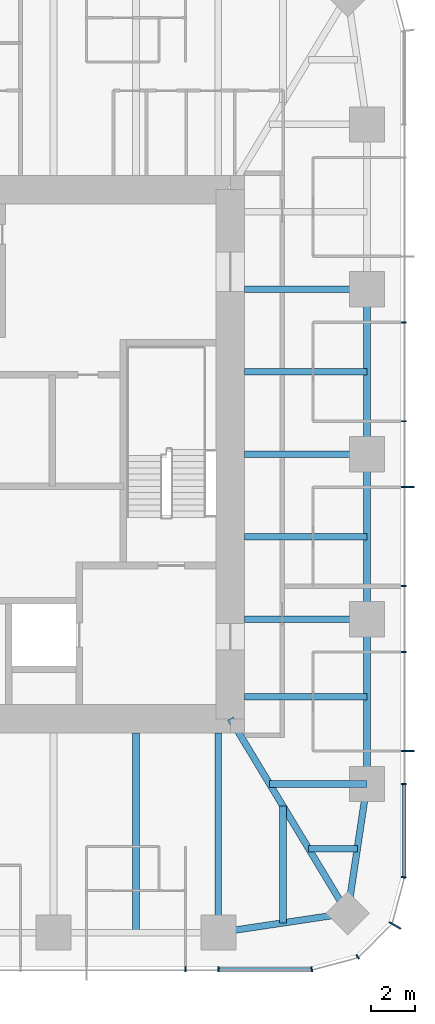
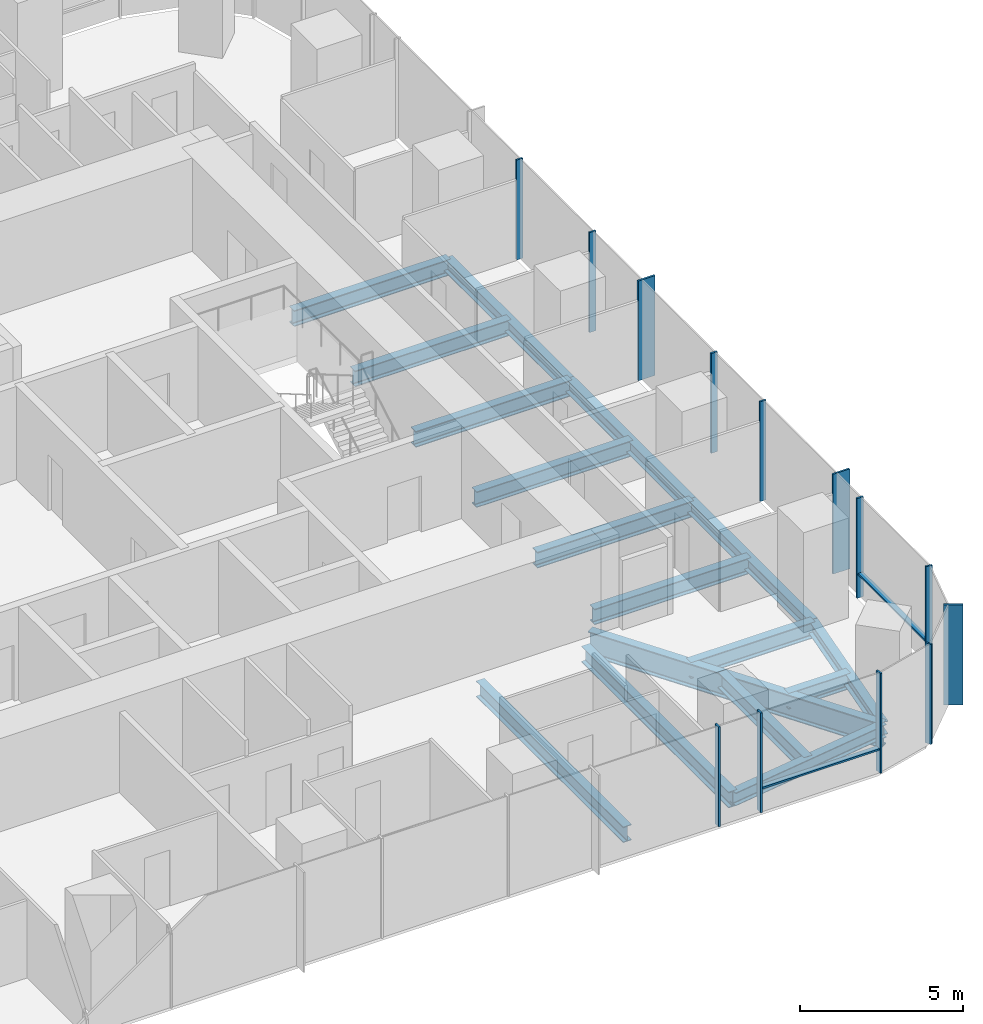
# One storey, part 4 of 12: 17 beams, 15 members, 3 elements without a shape of their own.
"""IFC4 building model written with IfcOpenShell, lengths in metres."""

from ifc_helpers import new_model, si_unit, direction, frame, origin, origin_2d, place, context, subcontext, project, spatial, rectangle, i_section, extrude, material, material_profile, profile_set, type_object, element, aggregate, save


model = new_model("IFC4")

# Units and contexts
model_context = context("Model", 3, precision=1e-05, world=origin(), true_north=direction((0.0, 1.0)))
body_context = subcontext(model_context, "Body", "Model", "MODEL_VIEW")
ifc_project = project(units=[si_unit("LENGTHUNIT", "METRE"), si_unit("AREAUNIT", "SQUARE_METRE"), si_unit("VOLUMEUNIT", "CUBIC_METRE"), si_unit("PLANEANGLEUNIT", "RADIAN"), si_unit("MASSUNIT", "GRAM", prefix="KILO")], contexts=[model_context])

# Site, building, storey
site_placement = place(None, origin())
site = spatial("IfcSite", under=ifc_project, at=site_placement, CompositionType="ELEMENT")
building_placement = place(site_placement, origin())
building = spatial("IfcBuilding", under=site, at=building_placement, Name="Khuree Lantern Residences", CompositionType="ELEMENT")
storey_placement = place(building_placement, frame((0.0, 0.0, 327.0)))
storey = spatial("IfcBuildingStorey", under=building, at=storey_placement, Name="L82", CompositionType="ELEMENT", Elevation=327.0)

# Beams
ifc_material_1 = material(Name="Steel S355", Category="steel")
ifc_material_profile_1 = material_profile(ifc_material_1, i_section(OverallWidth=0.300048828125, OverallDepth=0.590087890625, WebThickness=0.012939453125, FlangeThickness=0.02490234375, FilletRadius=0.027099609375, at=origin_2d()), Name="HE 600 A")
ifc_profile_set_1 = profile_set([ifc_material_profile_1], Name="Steel S355")
beam_type_1 = type_object("IfcBeamType", Name="B-43 SECONDARY BEAM HE 600 A", PredefinedType="BEAM", material=ifc_profile_set_1)
for number, where, z_axis, x_axis, name in (
    (1, (21.699951171875, 3.739990234375, -0.544921875), (-1.0, 0.0, 0.0), (0.0, -1.0, 0.0), "Secondary beam E3"),
    (2, (21.699951171875, -3.739990234375, -0.544921875), (-1.0, 0.0, 0.0), (0.0, -1.0, 0.0), "Secondary beam E4"),
    (3, (21.699951171875, -11.0, -0.544921875), (-1.0, 0.0, 0.0), (0.0, -1.0, 0.0), "Secondary beam E5"),
):
    element("IfcBeam", number, at=place(storey_placement, frame(where, z_axis=z_axis, x_axis=x_axis)), inside=storey, type_object=beam_type_1, Name=name, PredefinedType="BEAM", context=body_context, shape_type="SweptSolid", body=[
        extrude(i_section(OverallWidth=0.300048828125, OverallDepth=0.590087890625, WebThickness=0.012939453125, FlangeThickness=0.02490234375, FilletRadius=0.027099609375, at=origin_2d()), origin(), (0.0, 0.0, 1.0), 5.550048828125),
    ])
beam_1_placement = place(storey_placement, frame((21.2607421875, -17.890625, -0.544921875), z_axis=(-1.0, 0.0, 0.0), x_axis=(0.0, -1.0, 0.0)))
element("IfcBeam", 4, at=beam_1_placement, inside=storey, type_object=beam_type_1, Name="Secondary beam E6", PredefinedType="BEAM", context=body_context, shape_type="SweptSolid", body=[
    extrude(i_section(OverallWidth=0.300048828125, OverallDepth=0.590087890625, WebThickness=0.012939453125, FlangeThickness=0.02490234375, FilletRadius=0.027099609375, at=origin_2d()), origin(), (0.0, 0.0, 1.0), 2.207275390625),
])
beam_2_placement = place(storey_placement, frame((17.890625, -21.2607421875, -0.544921875), z_axis=(0.0, 1.0, 0.0), x_axis=(-1.0, 0.0, 0.0)))
element("IfcBeam", 5, at=beam_2_placement, inside=storey, type_object=beam_type_1, Name="Secondary beam S1", PredefinedType="BEAM", context=body_context, shape_type="SweptSolid", body=[
    extrude(i_section(OverallWidth=0.300048828125, OverallDepth=0.590087890625, WebThickness=0.012939453125, FlangeThickness=0.02490234375, FilletRadius=0.027099609375, at=origin_2d()), origin(), (0.0, 0.0, 1.0), 5.297607421875),
])
beam_3_placement = place(storey_placement, frame((11.219970703125, -21.699951171875, -0.544921875), z_axis=(0.0, 1.0, 0.0), x_axis=(-1.0, 0.0, 0.0)))
element("IfcBeam", 6, at=beam_3_placement, inside=storey, type_object=beam_type_1, Name="Secondary beam S2", PredefinedType="BEAM", context=body_context, shape_type="SweptSolid", body=[
    extrude(i_section(OverallWidth=0.300048828125, OverallDepth=0.590087890625, WebThickness=0.012939453125, FlangeThickness=0.02490234375, FilletRadius=0.027099609375, at=origin_2d()), origin(), (0.0, 0.0, 1.0), 9.050048828125),
])
ifc_material_profile_2 = material_profile(ifc_material_1, i_section(OverallWidth=0.300048828125, OverallDepth=0.489990234375, WebThickness=0.011962890625, FlangeThickness=0.02294921875, FilletRadius=0.027099609375, at=origin_2d()), Name="HE 500 A")
ifc_profile_set_2 = profile_set([ifc_material_profile_2], Name="Steel S355")
beam_type_2 = type_object("IfcBeamType", Name="E-43 SPANDREL BEAM HE 500 A", PredefinedType="SPANDREL", material=ifc_profile_set_2)
for number, where, z_axis, x_axis, name in (
    (7, (21.699951171875, 7.47998046875, -0.4951171875), (0.0, -1.0, 0.0), (1.0, 0.0, 0.0), "Spandrel beam E3"),
    (8, (21.699951171875, 0.0, -0.4951171875), (0.0, -1.0, 0.0), (1.0, 0.0, 0.0), "Spandrel beam E4"),
    (9, (21.699951171875, -7.47998046875, -0.4951171875), (0.0, -1.0, 0.0), (1.0, 0.0, 0.0), "Spandrel beam E5"),
):
    element("IfcBeam", number, at=place(storey_placement, frame(where, z_axis=z_axis, x_axis=x_axis)), inside=storey, type_object=beam_type_2, Name=name, PredefinedType="SPANDREL", context=body_context, shape_type="SweptSolid", body=[
        extrude(i_section(OverallWidth=0.300048828125, OverallDepth=0.489990234375, WebThickness=0.011962890625, FlangeThickness=0.02294921875, FilletRadius=0.027099609375, at=origin_2d()), origin(), (0.0, 0.0, 1.0), 7.47998046875),
    ])
for number, where, z_axis, x_axis, name in (
    (10, (21.699951171875, -14.9599609375, -0.4951171875), (-0.148251822985, -0.988949643299, 0.0), (0.988949643299, -0.148251822985, 0.0), "Spandrel beam E6"),
    (11, (20.8212890625, -20.8212890625, -0.4951171875), (-0.988949643299, -0.148251822985, 0.0), (0.148251822985, -0.988949643299, 0.0), "Spandrel beam S1"),
):
    element("IfcBeam", number, at=place(storey_placement, frame(where, z_axis=z_axis, x_axis=x_axis)), inside=storey, type_object=beam_type_2, Name=name, PredefinedType="SPANDREL", context=body_context, shape_type="SweptSolid", body=[
        extrude(i_section(OverallWidth=0.300048828125, OverallDepth=0.489990234375, WebThickness=0.011962890625, FlangeThickness=0.02294921875, FilletRadius=0.027099609375, at=origin_2d()), origin(), (0.0, 0.0, 1.0), 5.9267578125),
    ])

# Curtain wall, member
ifc_material_2 = material(Name="Bronze anodised aluminium", Category="aluminium")
curtain_wall_type_1 = type_object("IfcCurtainWallType", Name="CW-T2 TOWER CORNER CURTAIN WALL", PredefinedType="USERDEFINED", material=ifc_material_2)
curtain_wall_1_placement = place(storey_placement, origin())
curtain_wall_1 = element("IfcCurtainWall", 12, at=curtain_wall_1_placement, inside=storey, type_object=curtain_wall_type_1, Name="L82 SOUTH-EAST CORNER CURTAIN WALL", ObjectType="Faceted corner curtain wall", PredefinedType="USERDEFINED")
ifc_material_profile_3 = material_profile(ifc_material_2, rectangle(XDim=0.06494140625, YDim=0.60009765625, at=origin_2d()), Name="F1 65X600")
ifc_profile_set_3 = profile_set([ifc_material_profile_3], Name="Bronze anodised aluminium")
member_type_1 = type_object("IfcMemberType", Name="F1 BRONZE FIN MULLION TOWER 65X600", PredefinedType="MULLION", material=ifc_profile_set_3)
member_1_placement = place(storey_placement, frame((22.96728515625, -21.375, 0.0), z_axis=(0.0, 0.0, 1.0), x_axis=(0.49999994149, 0.866025437565, 0.0)))
member_1 = element("IfcMember", 13, at=member_1_placement, type_object=member_type_1, Name="L82 SOUTH-EAST CORNER FIN MULLION 3", PredefinedType="MULLION", context=body_context, shape_type="SweptSolid", body=[
    extrude(rectangle(XDim=0.06494140625, YDim=0.60009765625, at=origin_2d()), origin(), (0.0, 0.0, 1.0), 3.75),
])

# Curtain wall, members
curtain_wall_type_2 = type_object("IfcCurtainWallType", Name="CW-T1 TOWER FACE CURTAIN WALL", PredefinedType="USERDEFINED", material=ifc_material_2)
curtain_wall_2_placement = place(storey_placement, origin())
curtain_wall_2 = element("IfcCurtainWall", 14, at=curtain_wall_2_placement, inside=storey, type_object=curtain_wall_type_2, Name="L82 EAST FACE CURTAIN WALL", ObjectType="Stick-built curtain wall", PredefinedType="USERDEFINED")
member_2_placement = place(storey_placement, frame((23.550048828125, -13.464111328125, 0.0), z_axis=(0.0, 0.0, 1.0), x_axis=(0.0, 1.0, 0.0)))
member_2 = element("IfcMember", 15, at=member_2_placement, type_object=member_type_1, Name="L82 EAST FACE FIN MULLION 6", PredefinedType="MULLION", context=body_context, shape_type="SweptSolid", body=[
    extrude(rectangle(XDim=0.06494140625, YDim=0.60009765625, at=origin_2d()), origin(), (0.0, 0.0, 1.0), 3.75),
])
member_3_placement = place(storey_placement, frame((23.550048828125, -1.49609375, 0.0), z_axis=(0.0, 0.0, 1.0), x_axis=(0.0, 1.0, 0.0)))
member_3 = element("IfcMember", 16, at=member_3_placement, type_object=member_type_1, Name="L82 EAST FACE FIN MULLION 9", PredefinedType="MULLION", context=body_context, shape_type="SweptSolid", body=[
    extrude(rectangle(XDim=0.06494140625, YDim=0.60009765625, at=origin_2d()), origin(), (0.0, 0.0, 1.0), 3.75),
])

# Beams
ifc_material_profile_4 = material_profile(ifc_material_1, i_section(OverallWidth=0.300048828125, OverallDepth=0.60009765625, WebThickness=0.015380859375, FlangeThickness=0.030029296875, FilletRadius=0.027099609375, at=origin_2d()), Name="HE 600 B")
ifc_profile_set_4 = profile_set([ifc_material_profile_4], Name="Steel S355")
beam_type_3 = type_object("IfcBeamType", Name="G-43 GIRDER HE 600 B", PredefinedType="BEAM", material=ifc_profile_set_4)
for number, where, z_axis, x_axis, name in (
    (17, (21.699951171875, 7.47998046875, -0.550048828125), (-1.0, 0.0, 0.0), (0.0, -1.0, 0.0), "Girder E2"),
    (18, (21.699951171875, 0.0, -0.550048828125), (-1.0, 0.0, 0.0), (0.0, -1.0, 0.0), "Girder E3"),
    (19, (21.699951171875, -7.47998046875, -0.550048828125), (-1.0, 0.0, 0.0), (0.0, -1.0, 0.0), "Girder E4"),
):
    element("IfcBeam", number, at=place(storey_placement, frame(where, z_axis=z_axis, x_axis=x_axis)), inside=storey, type_object=beam_type_3, Name=name, PredefinedType="BEAM", context=body_context, shape_type="SweptSolid", body=[
        extrude(i_section(OverallWidth=0.300048828125, OverallDepth=0.60009765625, WebThickness=0.015380859375, FlangeThickness=0.030029296875, FilletRadius=0.027099609375, at=origin_2d()), origin(), (0.0, 0.0, 1.0), 5.550048828125),
    ])
beam_4_placement = place(storey_placement, frame((21.699951171875, -14.9599609375, -0.550048828125), z_axis=(-1.0, 0.0, 0.0), x_axis=(0.0, -1.0, 0.0)))
element("IfcBeam", 20, at=beam_4_placement, inside=storey, type_object=beam_type_3, Name="Girder E5", PredefinedType="BEAM", context=body_context, shape_type="SweptSolid", body=[
    extrude(i_section(OverallWidth=0.300048828125, OverallDepth=0.60009765625, WebThickness=0.015380859375, FlangeThickness=0.030029296875, FilletRadius=0.027099609375, at=origin_2d()), origin(), (0.0, 0.0, 1.0), 4.414306640625),
])
beam_5_placement = place(storey_placement, frame((14.9599609375, -21.699951171875, -0.550048828125), z_axis=(0.0, 1.0, 0.0), x_axis=(-1.0, 0.0, 0.0)))
element("IfcBeam", 21, at=beam_5_placement, inside=storey, type_object=beam_type_3, Name="Girder S1", PredefinedType="BEAM", context=body_context, shape_type="SweptSolid", body=[
    extrude(i_section(OverallWidth=0.300048828125, OverallDepth=0.60009765625, WebThickness=0.015380859375, FlangeThickness=0.030029296875, FilletRadius=0.027099609375, at=origin_2d()), origin(), (0.0, 0.0, 1.0), 9.050048828125),
])
ifc_material_profile_5 = material_profile(ifc_material_1, i_section(OverallWidth=0.300048828125, OverallDepth=0.89990234375, WebThickness=0.0185546875, FlangeThickness=0.034912109375, FilletRadius=0.030029296875, at=origin_2d()), Name="HE 900 B")
ifc_profile_set_5 = profile_set([ifc_material_profile_5], Name="Steel S355")
beam_type_4 = type_object("IfcBeamType", Name="GD-43 CORNER GIRDER HE 900 B", PredefinedType="BEAM", material=ifc_profile_set_5)
beam_6_placement = place(storey_placement, frame((20.8212890625, -20.8212890625, -0.699951171875), z_axis=(-0.516529577604, 0.856269347495, 0.0), x_axis=(-0.856269347495, -0.516529577604, 0.0)))
element("IfcBeam", 22, at=beam_6_placement, inside=storey, type_object=beam_type_4, Name="Corner girder SE", PredefinedType="BEAM", context=body_context, shape_type="SweptSolid", body=[
    extrude(i_section(OverallWidth=0.300048828125, OverallDepth=0.89990234375, WebThickness=0.0185546875, FlangeThickness=0.034912109375, FilletRadius=0.030029296875, at=origin_2d()), origin(), (0.0, 0.0, 1.0), 10.302001953125),
])

# Member
ifc_material_profile_6 = material_profile(ifc_material_2, rectangle(XDim=0.06494140625, YDim=0.219970703125, at=origin_2d()), Name="M1 65X220")
ifc_profile_set_6 = profile_set([ifc_material_profile_6], Name="Bronze anodised aluminium")
member_type_2 = type_object("IfcMemberType", Name="M1 BRONZE MULLION TOWER 65X220", PredefinedType="MULLION", material=ifc_profile_set_6)
member_4_placement = place(storey_placement, frame((19.195068359375, -23.36181640625, 0.0), z_axis=(0.0, 0.0, 1.0), x_axis=(0.991444870192, 0.130526125236, 0.0)))
member_4 = element("IfcMember", 23, at=member_4_placement, type_object=member_type_2, Name="L82 SOUTH-EAST CORNER MULLION 1", PredefinedType="MULLION", context=body_context, shape_type="SweptSolid", body=[
    extrude(rectangle(XDim=0.06494140625, YDim=0.219970703125, at=origin_2d()), origin(), (0.0, 0.0, 1.0), 3.75),
])

member_5_placement = place(storey_placement, frame((21.280029296875, -22.802734375, 0.0), z_axis=(0.0, 0.0, 1.0), x_axis=(0.866025437565, 0.49999994149, 0.0)))
member_5 = element("IfcMember", 24, at=member_5_placement, type_object=member_type_2, Name="L82 SOUTH-EAST CORNER MULLION 2", PredefinedType="MULLION", context=body_context, shape_type="SweptSolid", body=[
    extrude(rectangle(XDim=0.06494140625, YDim=0.219970703125, at=origin_2d()), origin(), (0.0, 0.0, 1.0), 3.75),
])

aggregate(curtain_wall_1, [member_4, member_5, member_1])

member_6_placement = place(storey_placement, frame((23.36181640625, -19.195068359375, 0.0), z_axis=(0.0, 0.0, 1.0), x_axis=(0.130526125236, 0.991444870192, 0.0)))
member_6 = element("IfcMember", 25, at=member_6_placement, type_object=member_type_2, Name="L82 EAST FACE MULLION 4", PredefinedType="MULLION", context=body_context, shape_type="SweptSolid", body=[
    extrude(rectangle(XDim=0.06494140625, YDim=0.219970703125, at=origin_2d()), origin(), (0.0, 0.0, 1.0), 3.75),
])

member_7_placement = place(storey_placement, frame((23.360107421875, -14.9599609375, 0.0), z_axis=(0.0, 0.0, 1.0), x_axis=(0.0, 1.0, 0.0)))
member_7 = element("IfcMember", 26, at=member_7_placement, type_object=member_type_2, Name="L82 EAST FACE MULLION 5", PredefinedType="MULLION", context=body_context, shape_type="SweptSolid", body=[
    extrude(rectangle(XDim=0.06494140625, YDim=0.219970703125, at=origin_2d()), origin(), (0.0, 0.0, 1.0), 3.75),
])

member_8_placement = place(storey_placement, frame((23.360107421875, -8.97607421875, 0.0), z_axis=(0.0, 0.0, 1.0), x_axis=(0.0, 1.0, 0.0)))
member_8 = element("IfcMember", 27, at=member_8_placement, type_object=member_type_2, Name="L82 EAST FACE MULLION 7", PredefinedType="MULLION", context=body_context, shape_type="SweptSolid", body=[
    extrude(rectangle(XDim=0.06494140625, YDim=0.219970703125, at=origin_2d()), origin(), (0.0, 0.0, 1.0), 3.75),
])

member_9_placement = place(storey_placement, frame((23.360107421875, -5.98388671875, 0.0), z_axis=(0.0, 0.0, 1.0), x_axis=(0.0, 1.0, 0.0)))
member_9 = element("IfcMember", 28, at=member_9_placement, type_object=member_type_2, Name="L82 EAST FACE MULLION 8", PredefinedType="MULLION", context=body_context, shape_type="SweptSolid", body=[
    extrude(rectangle(XDim=0.06494140625, YDim=0.219970703125, at=origin_2d()), origin(), (0.0, 0.0, 1.0), 3.75),
])

member_10_placement = place(storey_placement, frame((23.360107421875, 1.49609375, 0.0), z_axis=(0.0, 0.0, 1.0), x_axis=(0.0, 1.0, 0.0)))
member_10 = element("IfcMember", 29, at=member_10_placement, type_object=member_type_2, Name="L82 EAST FACE MULLION 10", PredefinedType="MULLION", context=body_context, shape_type="SweptSolid", body=[
    extrude(rectangle(XDim=0.06494140625, YDim=0.219970703125, at=origin_2d()), origin(), (0.0, 0.0, 1.0), 3.75),
])

member_11_placement = place(storey_placement, frame((23.360107421875, 5.98388671875, 0.0), z_axis=(0.0, 0.0, 1.0), x_axis=(0.0, 1.0, 0.0)))
member_11 = element("IfcMember", 30, at=member_11_placement, type_object=member_type_2, Name="L82 EAST FACE MULLION 11", PredefinedType="MULLION", context=body_context, shape_type="SweptSolid", body=[
    extrude(rectangle(XDim=0.06494140625, YDim=0.219970703125, at=origin_2d()), origin(), (0.0, 0.0, 1.0), 3.75),
])

# Curtain wall, members
curtain_wall_3_placement = place(storey_placement, origin())
curtain_wall_3 = element("IfcCurtainWall", 31, at=curtain_wall_3_placement, inside=storey, type_object=curtain_wall_type_2, Name="L82 SOUTH FACE CURTAIN WALL", ObjectType="Stick-built curtain wall", PredefinedType="USERDEFINED")
member_12_placement = place(storey_placement, frame((13.464111328125, -23.360107421875, 0.0), z_axis=(0.0, 0.0, 1.0), x_axis=(1.0, 0.0, 0.0)))
member_12 = element("IfcMember", 32, at=member_12_placement, type_object=member_type_2, Name="L82 SOUTH FACE MULLION 55", PredefinedType="MULLION", context=body_context, shape_type="SweptSolid", body=[
    extrude(rectangle(XDim=0.06494140625, YDim=0.219970703125, at=origin_2d()), origin(), (0.0, 0.0, 1.0), 3.75),
])
member_13_placement = place(storey_placement, frame((14.9599609375, -23.360107421875, 0.0), z_axis=(0.0, 0.0, 1.0), x_axis=(1.0, 0.0, 0.0)))
member_13 = element("IfcMember", 33, at=member_13_placement, type_object=member_type_2, Name="L82 SOUTH FACE MULLION 56", PredefinedType="MULLION", context=body_context, shape_type="SweptSolid", body=[
    extrude(rectangle(XDim=0.06494140625, YDim=0.219970703125, at=origin_2d()), origin(), (0.0, 0.0, 1.0), 3.75),
])

# Member
ifc_material_profile_7 = material_profile(ifc_material_2, rectangle(XDim=0.179931640625, YDim=0.06494140625, at=origin_2d()), Name="T1 180X65")
ifc_profile_set_7 = profile_set([ifc_material_profile_7], Name="Bronze anodised aluminium")
member_type_3 = type_object("IfcMemberType", Name="TRANSOM T1 TOWER 180X65", PredefinedType="USERDEFINED", material=ifc_profile_set_7)
member_14_placement = place(storey_placement, frame((23.3701171875, -19.1513671875, 0.89990234375), z_axis=(0.0, 1.0, 0.0), x_axis=(-1.0, 0.0, 0.0)))
member_14 = element("IfcMember", 34, at=member_14_placement, type_object=member_type_3, Name="L82 EAST FACE TRANSOM 4.1", ObjectType="Transom", PredefinedType="USERDEFINED", context=body_context, shape_type="SweptSolid", body=[
    extrude(rectangle(XDim=0.179931640625, YDim=0.06494140625, at=origin_2d()), origin(), (0.0, 0.0, 1.0), 4.158935546875),
])

aggregate(curtain_wall_2, [member_6, member_7, member_2, member_8, member_9, member_3, member_10, member_11, member_14])

member_15_placement = place(storey_placement, frame((14.992431640625, -23.3701171875, 0.89990234375), z_axis=(1.0, 0.0, 0.0), x_axis=(0.0, 1.0, 0.0)))
member_15 = element("IfcMember", 35, at=member_15_placement, type_object=member_type_3, Name="L82 SOUTH FACE TRANSOM 56.1", ObjectType="Transom", PredefinedType="USERDEFINED", context=body_context, shape_type="SweptSolid", body=[
    extrude(rectangle(XDim=0.179931640625, YDim=0.06494140625, at=origin_2d()), origin(), (0.0, 0.0, 1.0), 4.158935546875),
])

aggregate(curtain_wall_3, [member_12, member_13, member_15])

save(model, "model.ifc")
